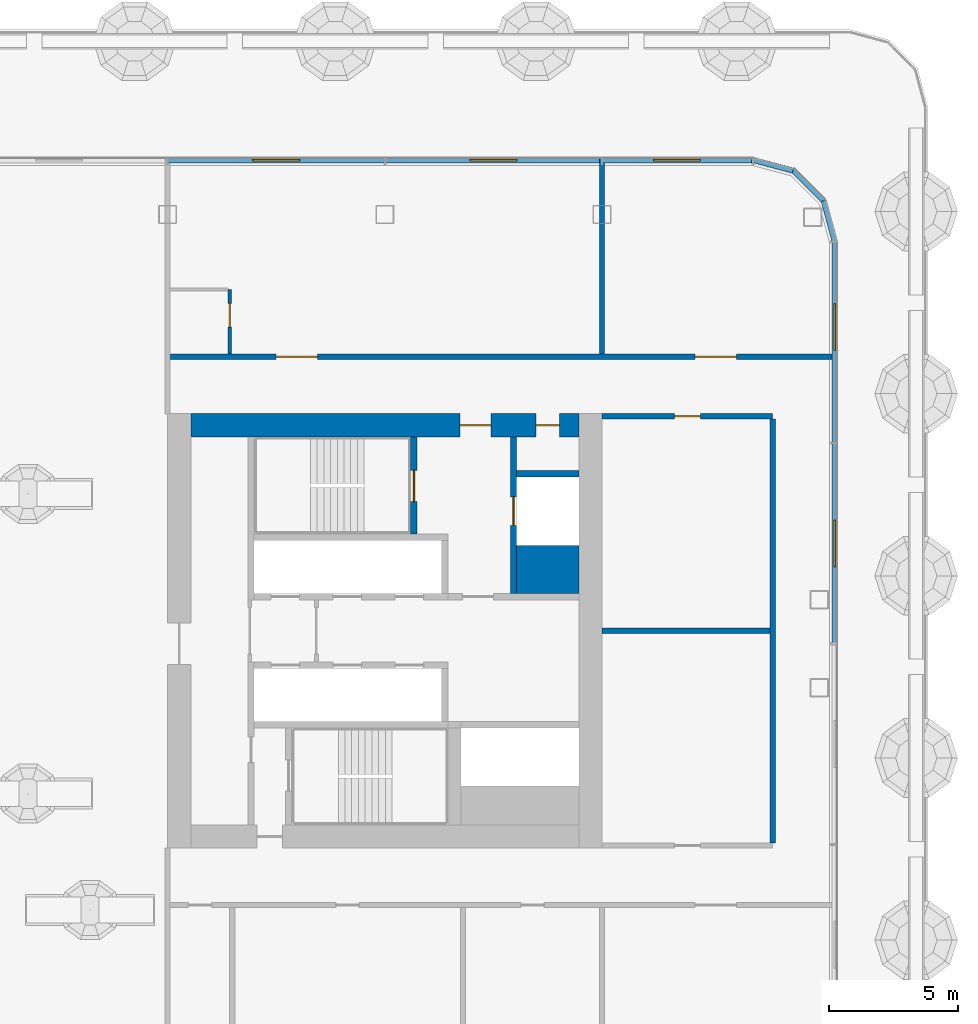
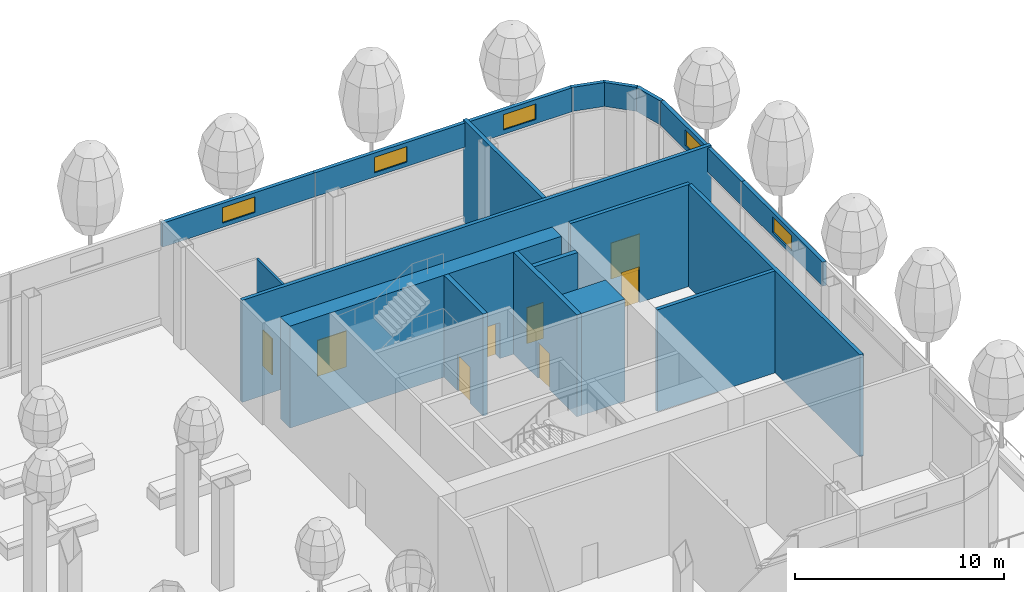
# One storey, part 16 of 43: 19 walls, 8 doors, 5 windows, 13 openings, 3 elements without a shape of their own.
"""IFC4 building model written with IfcOpenShell, lengths in metres."""

from ifc_helpers import new_model, si_unit, direction, frame, frame_2d, origin, place, context, subcontext, project, spatial, rectangle, extrude, material, layer, layer_set, type_object, element, fill, aggregate, save


model = new_model("IFC4")

# Units and contexts
model_context = context("Model", 3, precision=1e-05, world=origin(), true_north=direction((0.0, 1.0)))
body_context = subcontext(model_context, "Body", "Model", "MODEL_VIEW")
ifc_project = project(units=[si_unit("LENGTHUNIT", "METRE"), si_unit("AREAUNIT", "SQUARE_METRE"), si_unit("VOLUMEUNIT", "CUBIC_METRE"), si_unit("PLANEANGLEUNIT", "RADIAN"), si_unit("MASSUNIT", "GRAM", prefix="KILO")], contexts=[model_context])

# Site, building, storey
site_placement = place(None, origin())
site = spatial("IfcSite", under=ifc_project, at=site_placement, CompositionType="ELEMENT")
building_placement = place(site_placement, origin())
building = spatial("IfcBuilding", under=site, at=building_placement, Name="Hakoniwa Tower and Hamabe Station Hall", CompositionType="ELEMENT")
storey_placement = place(building_placement, frame((0.0, 0.0, 124.60009765625)))
storey = spatial("IfcBuildingStorey", under=building, at=storey_placement, Name="L35", CompositionType="ELEMENT", Elevation=124.60009765625)

# Wall, openings, doors
ifc_material_1 = material(Name="Concrete C66", Category="concrete")
ifc_layer_1 = layer(ifc_material_1, 0.89990234375)
ifc_layer_set_1 = layer_set([ifc_layer_1], Name="CORE WALL 900 C66")
wall_type_1 = type_object("IfcWallType", Name="CORE WALL 900 C66", PredefinedType="SHEAR", material=ifc_layer_set_1)
wall_1_placement = place(storey_placement, frame((17.699951171875, 7.949951171875, 0.0), z_axis=(0.0, 0.0, 1.0), x_axis=(1.0, 0.0, 0.0)))
wall_1 = element("IfcWall", 1, at=wall_1_placement, inside=storey, type_object=wall_type_1, Name="Core wall NORTH east", PredefinedType="SHEAR", context=body_context, shape_type="SweptSolid", body=[
    extrude(rectangle(XDim=15.0, YDim=0.89990234375, at=frame_2d((7.5, 0.0))), origin(), (0.0, 0.0, 1.0), 5.949951171875),
])
opening_1_placement = place(wall_1_placement, frame((10.39990234375, 0.0, 0.0)))
opening_1 = element("IfcOpeningElement", 2, at=opening_1_placement, cuts=wall_1, Name="Opening CD-E-FN1-12", PredefinedType="OPENING", context=body_context, shape_type="SweptSolid", body=[
    extrude(rectangle(XDim=1.199951171875, YDim=2.10009765625, at=frame_2d((0.60009765625, 1.050048828125))), frame((0.0, 0.4599609375, 0.0), z_axis=(0.0, -1.0, 0.0), x_axis=(1.0, 0.0, 0.0)), (0.0, 0.0, 1.0), 0.919921875),
])
opening_2_placement = place(wall_1_placement, frame((13.35009765625, 0.0, 0.0)))
opening_2 = element("IfcOpeningElement", 3, at=opening_2_placement, cuts=wall_1, Name="Opening CD-E-FN2-9", PredefinedType="OPENING", context=body_context, shape_type="SweptSolid", body=[
    extrude(rectangle(XDim=0.89990234375, YDim=2.10009765625, at=frame_2d((0.449951171875, 1.050048828125))), frame((0.0, 0.4599609375, 0.0), z_axis=(0.0, -1.0, 0.0), x_axis=(1.0, 0.0, 0.0)), (0.0, 0.0, 1.0), 0.919921875),
])
ifc_material_2 = material(Name="Steel fire door", Category="steel")
door_type_1 = type_object("IfcDoorType", Name="CORE DOOR 1200 FD60", OperationType="DOUBLE_DOOR_SINGLE_SWING", PredefinedType="DOOR", material=ifc_material_2)
door_1_placement = place(opening_1_placement, origin())
door_1 = element("IfcDoor", 4, at=door_1_placement, inside=storey, type_object=door_type_1, Name="Stair vestibule door to the fire-fighting lobby", OperationType="DOUBLE_DOOR_SINGLE_SWING", OverallHeight=2.10009765625, OverallWidth=1.199951171875, PredefinedType="DOOR", context=body_context, shape_type="SweptSolid", body=[
    extrude(rectangle(XDim=1.199951171875, YDim=2.10009765625, at=frame_2d((0.60009765625, 1.050048828125))), frame((0.0, 0.02490234375, 0.0), z_axis=(0.0, -1.0, 0.0), x_axis=(1.0, 0.0, 0.0)), (0.0, 0.0, 1.0), 0.050048828125),
])
fill(opening_1, door_1)
ifc_material_3 = material(Name="Steel fire door", Category="steel")
door_type_2 = type_object("IfcDoorType", Name="CORE DOOR 900 FD30", OperationType="NOTDEFINED", PredefinedType="DOOR", material=ifc_material_3)
door_2_placement = place(opening_2_placement, origin())
door_2 = element("IfcDoor", 5, at=door_2_placement, inside=storey, type_object=door_type_2, Name="Riser access door", OperationType="SINGLE_SWING_RIGHT", OverallHeight=2.10009765625, OverallWidth=0.89990234375, PredefinedType="DOOR", context=body_context, shape_type="SweptSolid", body=[
    extrude(rectangle(XDim=0.89990234375, YDim=2.10009765625, at=frame_2d((0.449951171875, 1.050048828125))), frame((0.0, 0.02490234375, 0.0), z_axis=(0.0, -1.0, 0.0), x_axis=(1.0, 0.0, 0.0)), (0.0, 0.0, 1.0), 0.050048828125),
])
fill(opening_2, door_2)

# Wall
ifc_material_4 = material(Name="Concrete C66", Category="concrete")
ifc_layer_2 = layer(ifc_material_4, 1.85009765625)
ifc_layer_set_2 = layer_set([ifc_layer_2], Name="CORE WEB WALL 1850 C66")
wall_type_2 = type_object("IfcWallType", Name="CORE WEB WALL 1850 C66", PredefinedType="SHEAR", material=ifc_layer_set_2)
wall_2_placement = place(storey_placement, frame((30.300048828125, 2.375, 0.0), z_axis=(0.0, 0.0, 1.0), x_axis=(1.0, 0.0, 0.0)))
element("IfcWall", 6, at=wall_2_placement, inside=storey, type_object=wall_type_2, Name="Core wall CA east", PredefinedType="SHEAR", context=body_context, shape_type="SweptSolid", body=[
    extrude(rectangle(XDim=2.39990234375, YDim=1.85009765625, at=frame_2d((1.199951171875, 0.0))), origin(), (0.0, 0.0, 1.0), 5.949951171875),
])

# Wall, opening, door
ifc_material_5 = material(Name="Concrete C66", Category="concrete")
ifc_layer_3 = layer(ifc_material_5, 0.25)
ifc_layer_set_3 = layer_set([ifc_layer_3], Name="CORE WEB WALL 250 C66")
wall_type_3 = type_object("IfcWallType", Name="CORE WEB WALL 250 C66", PredefinedType="SHEAR", material=ifc_layer_set_3)
wall_3_placement = place(storey_placement, frame((26.324951171875, 3.75, 0.0), z_axis=(0.0, 0.0, 1.0), x_axis=(0.0, 1.0, 0.0)))
wall_3 = element("IfcWall", 7, at=wall_3_placement, inside=storey, type_object=wall_type_3, Name="Core wall NSE east", PredefinedType="SHEAR", context=body_context, shape_type="SweptSolid", body=[
    extrude(rectangle(XDim=3.75, YDim=0.25, at=frame_2d((1.875, 0.0))), origin(), (0.0, 0.0, 1.0), 5.949951171875),
])
opening_3_placement = place(wall_3_placement, frame((1.25, 0.0, 0.0)))
opening_3 = element("IfcOpeningElement", 8, at=opening_3_placement, cuts=wall_3, Name="Opening CD-E-SN-12", PredefinedType="OPENING", context=body_context, shape_type="SweptSolid", body=[
    extrude(rectangle(XDim=1.199951171875, YDim=2.10009765625, at=frame_2d((0.60009765625, 1.050048828125))), frame((0.0, 0.135009765625, 0.0), z_axis=(0.0, -1.0, 0.0), x_axis=(1.0, 0.0, 0.0)), (0.0, 0.0, 1.0), 0.27001953125),
])
door_3_placement = place(opening_3_placement, origin())
door_3 = element("IfcDoor", 9, at=door_3_placement, inside=storey, type_object=door_type_1, Name="Escape stair door", OperationType="DOUBLE_DOOR_SINGLE_SWING", OverallHeight=2.10009765625, OverallWidth=1.199951171875, PredefinedType="DOOR", context=body_context, shape_type="SweptSolid", body=[
    extrude(rectangle(XDim=1.199951171875, YDim=2.10009765625, at=frame_2d((0.60009765625, 1.050048828125))), frame((0.0, 0.02490234375, 0.0), z_axis=(0.0, -1.0, 0.0), x_axis=(1.0, 0.0, 0.0)), (0.0, 0.0, 1.0), 0.050048828125),
])
fill(opening_3, door_3)

wall_4_placement = place(storey_placement, frame((30.175048828125, 1.449951171875, 0.0), z_axis=(0.0, 0.0, 1.0), x_axis=(0.0, 1.0, 0.0)))
wall_4 = element("IfcWall", 10, at=wall_4_placement, inside=storey, type_object=wall_type_3, Name="Core wall FFF east", PredefinedType="SHEAR", context=body_context, shape_type="SweptSolid", body=[
    extrude(rectangle(XDim=6.050048828125, YDim=0.25, at=frame_2d((3.02490234375, 0.0))), origin(), (0.0, 0.0, 1.0), 5.949951171875),
])
opening_4_placement = place(wall_4_placement, frame((2.625, 0.0, 0.0)))
opening_4 = element("IfcOpeningElement", 11, at=opening_4_placement, cuts=wall_4, Name="Opening LD-FF2", PredefinedType="OPENING", context=body_context, shape_type="SweptSolid", body=[
    extrude(rectangle(XDim=1.10009765625, YDim=2.10009765625, at=frame_2d((0.550048828125, 1.050048828125))), frame((0.0, 0.135009765625, 0.0), z_axis=(0.0, -1.0, 0.0), x_axis=(1.0, 0.0, 0.0)), (0.0, 0.0, 1.0), 0.27001953125),
])
ifc_material_6 = material(Name="Stainless steel SUS304", Category="steel")
door_type_3 = type_object("IfcDoorType", Name="LIFT LANDING DOOR 1100 FD60", OperationType="DOUBLE_DOOR_SLIDING", PredefinedType="DOOR", material=ifc_material_6)
door_4_placement = place(opening_4_placement, origin())
door_4 = element("IfcDoor", 12, at=door_4_placement, inside=storey, type_object=door_type_3, Name="Lift landing door FF2 L35", OperationType="DOUBLE_DOOR_SLIDING", OverallHeight=2.10009765625, OverallWidth=1.10009765625, PredefinedType="DOOR", context=body_context, shape_type="SweptSolid", body=[
    extrude(rectangle(XDim=1.10009765625, YDim=2.10009765625, at=frame_2d((0.550048828125, 1.050048828125))), frame((0.0, 0.02490234375, 0.0), z_axis=(0.0, -1.0, 0.0), x_axis=(1.0, 0.0, 0.0)), (0.0, 0.0, 1.0), 0.050048828125),
])
fill(opening_4, door_4)

# Wall
wall_5_placement = place(storey_placement, frame((30.300048828125, 6.074951171875, 0.0), z_axis=(0.0, 0.0, 1.0), x_axis=(1.0, 0.0, 0.0)))
element("IfcWall", 13, at=wall_5_placement, inside=storey, type_object=wall_type_3, Name="Core wall C2 east", PredefinedType="SHEAR", context=body_context, shape_type="SweptSolid", body=[
    extrude(rectangle(XDim=2.39990234375, YDim=0.25, at=frame_2d((1.199951171875, 0.0))), origin(), (0.0, 0.0, 1.0), 5.949951171875),
])

# Wall, opening, door
ifc_material_7 = material(Name="Fire-rated gypsum board partition", Category="gypsum")
ifc_layer_4 = layer(ifc_material_7, 0.199951171875)
ifc_layer_set_4 = layer_set([ifc_layer_4], Name="Corridor Wall 200")
wall_type_4 = type_object("IfcWallType", Name="Corridor Wall 200", PredefinedType="PARTITIONING", material=ifc_layer_set_4)
wall_6_placement = place(storey_placement, frame((33.60009765625, 8.300048828125, 0.0), z_axis=(0.0, 0.0, 1.0), x_axis=(1.0, 0.0, 0.0)))
wall_6 = element("IfcWall", 14, at=wall_6_placement, inside=storey, type_object=wall_type_4, Name="GW-L35-008", PredefinedType="PARTITIONING", context=body_context, shape_type="SweptSolid", body=[
    extrude(rectangle(XDim=6.599853515625, YDim=0.199951171875, at=frame_2d((3.2998046875, 0.0))), origin(), (0.0, 0.0, 1.0), 5.949951171875),
])
opening_5_placement = place(wall_6_placement, frame((2.800048828125, 0.0, 0.0)))
opening_5 = element("IfcOpeningElement", 15, at=opening_5_placement, cuts=wall_6, Name="Opening GD-SL35-10", PredefinedType="OPENING", context=body_context, shape_type="SweptSolid", body=[
    extrude(rectangle(XDim=1.0, YDim=2.10009765625, at=frame_2d((0.5, 1.050048828125))), frame((0.0, 0.10986328125, 0.0), z_axis=(0.0, -1.0, 0.0), x_axis=(1.0, 0.0, 0.0)), (0.0, 0.0, 1.0), 0.219970703125),
])
ifc_material_8 = material(Name="Timber door leaf", Category="wood")
door_type_4 = type_object("IfcDoorType", Name="Guest Entrance Door 1000", OperationType="SINGLE_SWING_LEFT", PredefinedType="DOOR", material=ifc_material_8)
door_5_placement = place(opening_5_placement, origin())
door_5 = element("IfcDoor", 16, at=door_5_placement, inside=storey, type_object=door_type_4, Name="Door GD-SL35-10", OperationType="SINGLE_SWING_RIGHT", OverallHeight=2.10009765625, OverallWidth=1.0, PredefinedType="DOOR", context=body_context, shape_type="SweptSolid", body=[
    extrude(rectangle(XDim=1.0, YDim=2.10009765625, at=frame_2d((0.5, 1.050048828125))), frame((0.0, 0.02490234375, 0.0), z_axis=(0.0, -1.0, 0.0), x_axis=(1.0, 0.0, 0.0)), (0.0, 0.0, 1.0), 0.050048828125),
])
fill(opening_5, door_5)

# Wall, openings, doors
wall_7_placement = place(storey_placement, frame((16.800048828125, 10.60009765625, 0.0), z_axis=(0.0, 0.0, 1.0), x_axis=(1.0, 0.0, 0.0)))
wall_7 = element("IfcWall", 17, at=wall_7_placement, inside=storey, type_object=wall_type_4, Name="GW-L35-010", PredefinedType="PARTITIONING", context=body_context, shape_type="SweptSolid", body=[
    extrude(rectangle(XDim=25.89990234375, YDim=0.199951171875, at=frame_2d((12.949951171875, 0.0))), origin(), (0.0, 0.0, 1.0), 5.949951171875),
])
opening_6_placement = place(wall_7_placement, frame((4.199951171875, 0.0, 0.0)))
opening_6 = element("IfcOpeningElement", 18, at=opening_6_placement, cuts=wall_7, Name="Opening GD-SL35-15", PredefinedType="OPENING", context=body_context, shape_type="SweptSolid", body=[
    extrude(rectangle(XDim=1.60009765625, YDim=2.10009765625, at=frame_2d((0.800048828125, 1.050048828125))), frame((0.0, 0.10986328125, 0.0), z_axis=(0.0, -1.0, 0.0), x_axis=(1.0, 0.0, 0.0)), (0.0, 0.0, 1.0), 0.219970703125),
])
opening_7_placement = place(wall_7_placement, frame((20.39990234375, 0.0, 0.0)))
opening_7 = element("IfcOpeningElement", 19, at=opening_7_placement, cuts=wall_7, Name="Opening GD-SL35-16", PredefinedType="OPENING", context=body_context, shape_type="SweptSolid", body=[
    extrude(rectangle(XDim=1.60009765625, YDim=2.10009765625, at=frame_2d((0.800048828125, 1.050048828125))), frame((0.0, 0.10986328125, 0.0), z_axis=(0.0, -1.0, 0.0), x_axis=(1.0, 0.0, 0.0)), (0.0, 0.0, 1.0), 0.219970703125),
])
ifc_material_9 = material(Name="Timber door leaf", Category="wood")
door_type_5 = type_object("IfcDoorType", Name="Double Door 1600", OperationType="DOUBLE_DOOR_SINGLE_SWING", PredefinedType="DOOR", material=ifc_material_9)
door_6_placement = place(opening_6_placement, origin())
door_6 = element("IfcDoor", 20, at=door_6_placement, inside=storey, type_object=door_type_5, Name="Door GD-SL35-15", OperationType="DOUBLE_DOOR_SINGLE_SWING", OverallHeight=2.10009765625, OverallWidth=1.60009765625, PredefinedType="DOOR", context=body_context, shape_type="SweptSolid", body=[
    extrude(rectangle(XDim=1.60009765625, YDim=2.10009765625, at=frame_2d((0.800048828125, 1.050048828125))), frame((0.0, 0.02490234375, 0.0), z_axis=(0.0, -1.0, 0.0), x_axis=(1.0, 0.0, 0.0)), (0.0, 0.0, 1.0), 0.050048828125),
])
fill(opening_6, door_6)
door_7_placement = place(opening_7_placement, origin())
door_7 = element("IfcDoor", 21, at=door_7_placement, inside=storey, type_object=door_type_5, Name="Door GD-SL35-16", OperationType="DOUBLE_DOOR_SINGLE_SWING", OverallHeight=2.10009765625, OverallWidth=1.60009765625, PredefinedType="DOOR", context=body_context, shape_type="SweptSolid", body=[
    extrude(rectangle(XDim=1.60009765625, YDim=2.10009765625, at=frame_2d((0.800048828125, 1.050048828125))), frame((0.0, 0.02490234375, 0.0), z_axis=(0.0, -1.0, 0.0), x_axis=(1.0, 0.0, 0.0)), (0.0, 0.0, 1.0), 0.050048828125),
])
fill(opening_7, door_7)

# Walls
ifc_material_10 = material(Name="Fire-rated gypsum board partition", Category="gypsum")
ifc_layer_5 = layer(ifc_material_10, 0.199951171875)
ifc_layer_set_5 = layer_set([ifc_layer_5], Name="Party Wall 200")
wall_type_5 = type_object("IfcWallType", Name="Party Wall 200", PredefinedType="PARTITIONING", material=ifc_layer_set_5)
wall_8_placement = place(storey_placement, frame((33.60009765625, 0.0, 0.0), z_axis=(0.0, 0.0, 1.0), x_axis=(1.0, 0.0, 0.0)))
element("IfcWall", 22, at=wall_8_placement, inside=storey, type_object=wall_type_5, Name="GW-L35-006", PredefinedType="PARTITIONING", context=body_context, shape_type="SweptSolid", body=[
    extrude(rectangle(XDim=6.5, YDim=0.199951171875, at=frame_2d((3.25, 0.0))), origin(), (0.0, 0.0, 1.0), 5.949951171875),
])
wall_9_placement = place(storey_placement, frame((33.60009765625, 10.699951171875, 0.0), z_axis=(0.0, 0.0, 1.0), x_axis=(0.0, 1.0, 0.0)))
element("IfcWall", 23, at=wall_9_placement, inside=storey, type_object=wall_type_5, Name="GW-L35-025", PredefinedType="PARTITIONING", context=body_context, shape_type="SweptSolid", body=[
    extrude(rectangle(XDim=7.60009765625, YDim=0.199951171875, at=frame_2d((3.800048828125, 0.0))), origin(), (0.0, 0.0, 1.0), 5.949951171875),
])
wall_10_placement = place(storey_placement, frame((40.199951171875, -8.199951171875, 0.0), z_axis=(0.0, 0.0, 1.0), x_axis=(0.0, 1.0, 0.0)))
element("IfcWall", 24, at=wall_10_placement, inside=storey, type_object=wall_type_5, Name="GW-L35-026", PredefinedType="PARTITIONING", context=body_context, shape_type="SweptSolid", body=[
    extrude(rectangle(XDim=16.39990234375, YDim=0.199951171875, at=frame_2d((8.199951171875, 0.0))), origin(), (0.0, 0.0, 1.0), 5.949951171875),
])

# Wall, opening, door
ifc_material_11 = material(Name="Gypsum board partition", Category="gypsum")
ifc_layer_6 = layer(ifc_material_11, 0.125)
ifc_layer_set_6 = layer_set([ifc_layer_6], Name="Room Partition 125")
wall_type_6 = type_object("IfcWallType", Name="Room Partition 125", PredefinedType="PARTITIONING", material=ifc_layer_set_6)
wall_11_placement = place(storey_placement, frame((19.199951171875, 10.699951171875, 0.0), z_axis=(0.0, 0.0, 1.0), x_axis=(0.0, 1.0, 0.0)))
wall_11 = element("IfcWall", 25, at=wall_11_placement, inside=storey, type_object=wall_type_6, Name="GW-L35-021", PredefinedType="PARTITIONING", context=body_context, shape_type="SweptSolid", body=[
    extrude(rectangle(XDim=2.5, YDim=0.125, at=frame_2d((1.25, 0.0))), origin(), (0.0, 0.0, 1.0), 5.949951171875),
])
opening_8_placement = place(wall_11_placement, frame((1.050048828125, 0.0, 0.0)))
opening_8 = element("IfcOpeningElement", 26, at=opening_8_placement, cuts=wall_11, Name="Opening GD-SL35-17", PredefinedType="OPENING", context=body_context, shape_type="SweptSolid", body=[
    extrude(rectangle(XDim=0.89990234375, YDim=2.10009765625, at=frame_2d((0.449951171875, 1.050048828125))), frame((0.0, 0.072509765625, 0.0), z_axis=(0.0, -1.0, 0.0), x_axis=(1.0, 0.0, 0.0)), (0.0, 0.0, 1.0), 0.14501953125),
])
ifc_material_12 = material(Name="Timber door leaf", Category="wood")
door_type_6 = type_object("IfcDoorType", Name="Suite Interior Door 900", OperationType="SINGLE_SWING_LEFT", PredefinedType="DOOR", material=ifc_material_12)
door_8_placement = place(opening_8_placement, origin())
door_8 = element("IfcDoor", 27, at=door_8_placement, inside=storey, type_object=door_type_6, Name="Door GD-SL35-17", OperationType="SINGLE_SWING_LEFT", OverallHeight=2.10009765625, OverallWidth=0.89990234375, PredefinedType="DOOR", context=body_context, shape_type="SweptSolid", body=[
    extrude(rectangle(XDim=0.89990234375, YDim=2.10009765625, at=frame_2d((0.449951171875, 1.050048828125))), frame((0.0, 0.02490234375, 0.0), z_axis=(0.0, -1.0, 0.0), x_axis=(1.0, 0.0, 0.0)), (0.0, 0.0, 1.0), 0.050048828125),
])
fill(opening_8, door_8)

# Curtain wall, walls, openings, windows
ifc_material_13 = material(Name="Dark low-e laminated glass", Category="glass")
ifc_layer_7 = layer(ifc_material_13, 0.199951171875)
ifc_layer_set_7 = layer_set([ifc_layer_7], Name="CW-2 SKY GARDEN")
curtain_wall_type = type_object("IfcCurtainWallType", Name="CW-2 SKY GARDEN", PredefinedType="NOTDEFINED", material=ifc_layer_set_7)
curtain_wall_1_placement = place(storey_placement, origin())
curtain_wall_1 = element("IfcCurtainWall", 28, at=curtain_wall_1_placement, inside=storey, type_object=curtain_wall_type, Name="CW-2 curtain wall", PredefinedType="NOTDEFINED")
ifc_material_14 = material(Name="Dark glass-faced aluminium panel", Category="aluminium")
ifc_layer_8 = layer(ifc_material_14, 0.199951171875)
ifc_layer_set_8 = layer_set([ifc_layer_8], Name="VENT BAND WALL")
wall_type_7 = type_object("IfcWallType", Name="VENT BAND WALL", PredefinedType="NOTDEFINED", material=ifc_layer_set_8)
wall_12_placement = place(storey_placement, frame((42.60009765625, -0.5, 4.449951171875), z_axis=(0.0, 0.0, 1.0), x_axis=(0.0, 1.0, 0.0)))
wall_12 = element("IfcWall", 29, at=wall_12_placement, type_object=wall_type_7, Name="Vent band wall", PredefinedType="NOTDEFINED", context=body_context, shape_type="SweptSolid", body=[
    extrude(rectangle(XDim=7.769775390625, YDim=0.199951171875, at=frame_2d((3.884765625, 0.0))), origin(), (0.0, 0.0, 1.0), 1.39990234375),
])
opening_9_placement = place(wall_12_placement, frame((2.98486328125, 0.0, 0.25)))
opening_9 = element("IfcOpeningElement", 30, at=opening_9_placement, cuts=wall_12, Name="Opening VW-1", PredefinedType="OPENING", context=body_context, shape_type="SweptSolid", body=[
    extrude(rectangle(XDim=1.800048828125, YDim=0.89990234375, at=frame_2d((0.89990234375, 0.449951171875))), frame((0.0, 0.10986328125, 0.0), z_axis=(0.0, -1.0, 0.0), x_axis=(1.0, 0.0, 0.0)), (0.0, 0.0, 1.0), 0.219970703125),
])
ifc_material_15 = material(Name="Dark low-e laminated glass", Category="glass")
window_type = type_object("IfcWindowType", Name="VENT WINDOW 1800X900", PartitioningType="SINGLE_PANEL", PredefinedType="WINDOW", material=ifc_material_15)
window_1_placement = place(opening_9_placement, origin())
window_1 = element("IfcWindow", 31, at=window_1_placement, inside=storey, type_object=window_type, Name="Vent window", OverallHeight=0.89990234375, OverallWidth=1.800048828125, PartitioningType="SINGLE_PANEL", PredefinedType="WINDOW", context=body_context, shape_type="SweptSolid", body=[
    extrude(rectangle(XDim=1.800048828125, YDim=0.89990234375, at=frame_2d((0.89990234375, 0.449951171875))), frame((0.0, 0.030029296875, 0.0), z_axis=(0.0, -1.0, 0.0), x_axis=(1.0, 0.0, 0.0)), (0.0, 0.0, 1.0), 0.06005859375),
])
fill(opening_9, window_1)
wall_13_placement = place(storey_placement, frame((42.60009765625, 7.269775390625, 4.449951171875), z_axis=(0.0, 0.0, 1.0), x_axis=(0.0, 1.0, 0.0)))
wall_13 = element("IfcWall", 32, at=wall_13_placement, type_object=wall_type_7, Name="Vent band wall", PredefinedType="NOTDEFINED", context=body_context, shape_type="SweptSolid", body=[
    extrude(rectangle(XDim=7.73974609375, YDim=0.199951171875, at=frame_2d((3.869873046875, 0.0))), origin(), (0.0, 0.0, 1.0), 1.39990234375),
])
opening_10_placement = place(wall_13_placement, frame((3.580322265625, 0.0, 0.25)))
opening_10 = element("IfcOpeningElement", 33, at=opening_10_placement, cuts=wall_13, Name="Opening VW-1", PredefinedType="OPENING", context=body_context, shape_type="SweptSolid", body=[
    extrude(rectangle(XDim=1.800048828125, YDim=0.89990234375, at=frame_2d((0.89990234375, 0.449951171875))), frame((0.0, 0.10986328125, 0.0), z_axis=(0.0, -1.0, 0.0), x_axis=(1.0, 0.0, 0.0)), (0.0, 0.0, 1.0), 0.219970703125),
])
window_2_placement = place(opening_10_placement, origin())
window_2 = element("IfcWindow", 34, at=window_2_placement, inside=storey, type_object=window_type, Name="Vent window", OverallHeight=0.89990234375, OverallWidth=1.800048828125, PartitioningType="SINGLE_PANEL", PredefinedType="WINDOW", context=body_context, shape_type="SweptSolid", body=[
    extrude(rectangle(XDim=1.800048828125, YDim=0.89990234375, at=frame_2d((0.89990234375, 0.449951171875))), frame((0.0, 0.030029296875, 0.0), z_axis=(0.0, -1.0, 0.0), x_axis=(1.0, 0.0, 0.0)), (0.0, 0.0, 1.0), 0.06005859375),
])
fill(opening_10, window_2)
aggregate(curtain_wall_1, [wall_12, wall_13])

# Curtain wall, walls
curtain_wall_2_placement = place(storey_placement, origin())
curtain_wall_2 = element("IfcCurtainWall", 35, at=curtain_wall_2_placement, inside=storey, type_object=curtain_wall_type, Name="CW-2 curtain wall", PredefinedType="NOTDEFINED")
wall_14_placement = place(storey_placement, frame((42.595703125, 15.04248046875, 4.449951171875), z_axis=(0.0, 0.0, 1.0), x_axis=(-0.258864833081, 0.965913556274, 0.0)))
wall_14 = element("IfcWall", 36, at=wall_14_placement, type_object=wall_type_7, Name="Vent band wall", PredefinedType="NOTDEFINED", context=body_context, shape_type="SweptSolid", body=[
    extrude(rectangle(XDim=1.642822265625, YDim=0.199951171875, at=frame_2d((0.8212890625, 0.0))), origin(), (0.0, 0.0, 1.0), 1.39990234375),
])
wall_15_placement = place(storey_placement, frame((42.17041015625, 16.62939453125, 4.449951171875), z_axis=(0.0, 0.0, 1.0), x_axis=(-0.707106781187, 0.707106781187, 0.0)))
wall_15 = element("IfcWall", 37, at=wall_15_placement, type_object=wall_type_7, Name="Vent band wall", PredefinedType="NOTDEFINED", context=body_context, shape_type="SweptSolid", body=[
    extrude(rectangle(XDim=1.713623046875, YDim=0.199951171875, at=frame_2d((0.85693359375, 0.0))), origin(), (0.0, 0.0, 1.0), 1.39990234375),
])
wall_16_placement = place(storey_placement, frame((40.984619140625, 17.79638671875, 4.449951171875), z_axis=(0.0, 0.0, 1.0), x_axis=(-0.965950704374, 0.258726180971, 0.0)))
wall_16 = element("IfcWall", 38, at=wall_16_placement, type_object=wall_type_7, Name="Vent band wall", PredefinedType="NOTDEFINED", context=body_context, shape_type="SweptSolid", body=[
    extrude(rectangle(XDim=1.642822265625, YDim=0.199951171875, at=frame_2d((0.8212890625, 0.0))), origin(), (0.0, 0.0, 1.0), 1.39990234375),
])
aggregate(curtain_wall_2, [wall_14, wall_15, wall_16])

# Curtain wall, walls, openings, windows
curtain_wall_3_placement = place(storey_placement, origin())
curtain_wall_3 = element("IfcCurtainWall", 39, at=curtain_wall_3_placement, inside=storey, type_object=curtain_wall_type, Name="CW-2 curtain wall", PredefinedType="NOTDEFINED")
wall_17_placement = place(storey_placement, frame((39.409423828125, 18.199951171875, 4.449951171875), z_axis=(0.0, 0.0, 1.0), x_axis=(-1.0, 0.0, 0.0)))
wall_17 = element("IfcWall", 40, at=wall_17_placement, type_object=wall_type_7, Name="Vent band wall", PredefinedType="NOTDEFINED", context=body_context, shape_type="SweptSolid", body=[
    extrude(rectangle(XDim=5.809326171875, YDim=0.199951171875, at=frame_2d((2.90478515625, 0.0))), origin(), (0.0, 0.0, 1.0), 1.39990234375),
])
opening_11_placement = place(wall_17_placement, frame((2.004638671875, 0.0, 0.25)))
opening_11 = element("IfcOpeningElement", 41, at=opening_11_placement, cuts=wall_17, Name="Opening VW-1", PredefinedType="OPENING", context=body_context, shape_type="SweptSolid", body=[
    extrude(rectangle(XDim=1.800048828125, YDim=0.89990234375, at=frame_2d((0.89990234375, 0.449951171875))), frame((0.0, 0.10986328125, 0.0), z_axis=(0.0, -1.0, 0.0), x_axis=(1.0, 0.0, 0.0)), (0.0, 0.0, 1.0), 0.219970703125),
])
window_3_placement = place(opening_11_placement, origin())
window_3 = element("IfcWindow", 42, at=window_3_placement, inside=storey, type_object=window_type, Name="Vent window", OverallHeight=0.89990234375, OverallWidth=1.800048828125, PartitioningType="SINGLE_PANEL", PredefinedType="WINDOW", context=body_context, shape_type="SweptSolid", body=[
    extrude(rectangle(XDim=1.800048828125, YDim=0.89990234375, at=frame_2d((0.89990234375, 0.449951171875))), frame((0.0, 0.030029296875, 0.0), z_axis=(0.0, -1.0, 0.0), x_axis=(1.0, 0.0, 0.0)), (0.0, 0.0, 1.0), 0.06005859375),
])
fill(opening_11, window_3)
wall_18_placement = place(storey_placement, frame((33.60009765625, 18.199951171875, 4.449951171875), z_axis=(0.0, 0.0, 1.0), x_axis=(-1.0, 0.0, 0.0)))
wall_18 = element("IfcWall", 43, at=wall_18_placement, type_object=wall_type_7, Name="Vent band wall", PredefinedType="NOTDEFINED", context=body_context, shape_type="SweptSolid", body=[
    extrude(rectangle(XDim=8.400146484375, YDim=0.199951171875, at=frame_2d((4.2001953125, 0.0))), origin(), (0.0, 0.0, 1.0), 1.39990234375),
])
opening_12_placement = place(wall_18_placement, frame((3.300048828125, 0.0, 0.25)))
opening_12 = element("IfcOpeningElement", 44, at=opening_12_placement, cuts=wall_18, Name="Opening VW-1", PredefinedType="OPENING", context=body_context, shape_type="SweptSolid", body=[
    extrude(rectangle(XDim=1.800048828125, YDim=0.89990234375, at=frame_2d((0.89990234375, 0.449951171875))), frame((0.0, 0.10986328125, 0.0), z_axis=(0.0, -1.0, 0.0), x_axis=(1.0, 0.0, 0.0)), (0.0, 0.0, 1.0), 0.219970703125),
])
window_4_placement = place(opening_12_placement, origin())
window_4 = element("IfcWindow", 45, at=window_4_placement, inside=storey, type_object=window_type, Name="Vent window", OverallHeight=0.89990234375, OverallWidth=1.800048828125, PartitioningType="SINGLE_PANEL", PredefinedType="WINDOW", context=body_context, shape_type="SweptSolid", body=[
    extrude(rectangle(XDim=1.800048828125, YDim=0.89990234375, at=frame_2d((0.89990234375, 0.449951171875))), frame((0.0, 0.030029296875, 0.0), z_axis=(0.0, -1.0, 0.0), x_axis=(1.0, 0.0, 0.0)), (0.0, 0.0, 1.0), 0.06005859375),
])
fill(opening_12, window_4)
wall_19_placement = place(storey_placement, frame((25.199951171875, 18.199951171875, 4.449951171875), z_axis=(0.0, 0.0, 1.0), x_axis=(-1.0, 0.0, 0.0)))
wall_19 = element("IfcWall", 46, at=wall_19_placement, type_object=wall_type_7, Name="Vent band wall", PredefinedType="NOTDEFINED", context=body_context, shape_type="SweptSolid", body=[
    extrude(rectangle(XDim=8.39990234375, YDim=0.199951171875, at=frame_2d((4.199951171875, 0.0))), origin(), (0.0, 0.0, 1.0), 1.39990234375),
])
opening_13_placement = place(wall_19_placement, frame((3.300048828125, 0.0, 0.25)))
opening_13 = element("IfcOpeningElement", 47, at=opening_13_placement, cuts=wall_19, Name="Opening VW-1", PredefinedType="OPENING", context=body_context, shape_type="SweptSolid", body=[
    extrude(rectangle(XDim=1.800048828125, YDim=0.89990234375, at=frame_2d((0.89990234375, 0.449951171875))), frame((0.0, 0.10986328125, 0.0), z_axis=(0.0, -1.0, 0.0), x_axis=(1.0, 0.0, 0.0)), (0.0, 0.0, 1.0), 0.219970703125),
])
window_5_placement = place(opening_13_placement, origin())
window_5 = element("IfcWindow", 48, at=window_5_placement, inside=storey, type_object=window_type, Name="Vent window", OverallHeight=0.89990234375, OverallWidth=1.800048828125, PartitioningType="SINGLE_PANEL", PredefinedType="WINDOW", context=body_context, shape_type="SweptSolid", body=[
    extrude(rectangle(XDim=1.800048828125, YDim=0.89990234375, at=frame_2d((0.89990234375, 0.449951171875))), frame((0.0, 0.030029296875, 0.0), z_axis=(0.0, -1.0, 0.0), x_axis=(1.0, 0.0, 0.0)), (0.0, 0.0, 1.0), 0.06005859375),
])
fill(opening_13, window_5)
aggregate(curtain_wall_3, [wall_17, wall_18, wall_19])

save(model, "model.ifc")
